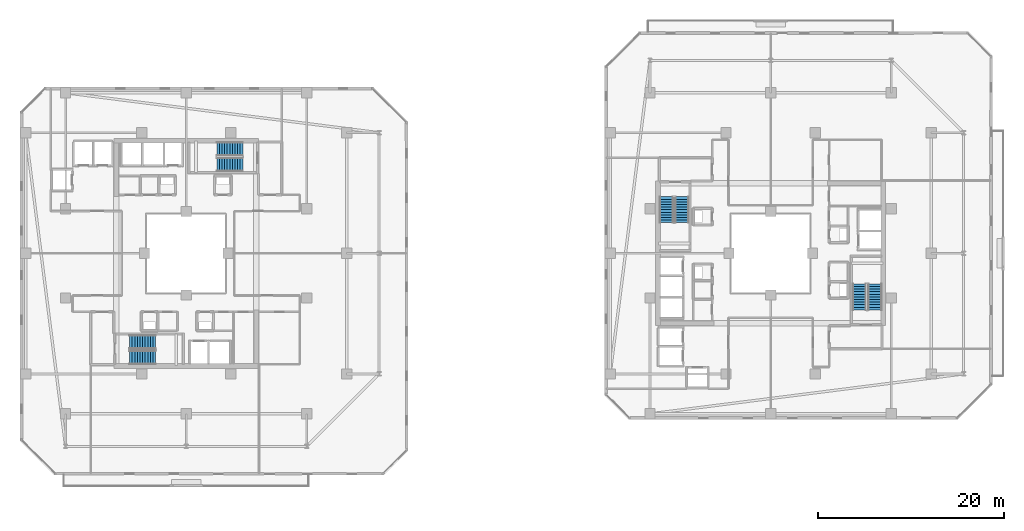
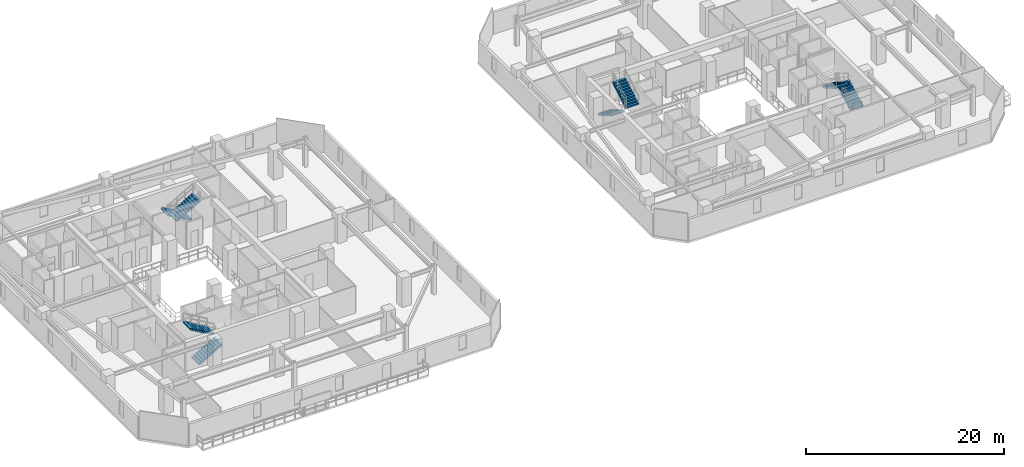
# One storey, part 26 of 32: 8 stair flights, 4 elements without a shape of their own.
"""IFC4 building model written with IfcOpenShell, lengths in metres."""

from ifc_helpers import new_model, si_unit, direction, frame, origin, place, context, subcontext, project, spatial, polyline, outline, extrude, material, type_object, element, aggregate, save


model = new_model("IFC4")

# Units and contexts
model_context = context("Model", 3, precision=1e-05, world=origin(), true_north=direction((0.0, 1.0)))
body_context = subcontext(model_context, "Body", "Model", "MODEL_VIEW")
ifc_project = project(units=[si_unit("LENGTHUNIT", "METRE"), si_unit("AREAUNIT", "SQUARE_METRE"), si_unit("VOLUMEUNIT", "CUBIC_METRE"), si_unit("PLANEANGLEUNIT", "RADIAN"), si_unit("MASSUNIT", "GRAM", prefix="KILO")], contexts=[model_context])

# Site, building, storey
site_placement = place(None, origin())
site = spatial("IfcSite", under=ifc_project, at=site_placement, CompositionType="ELEMENT")
building_placement = place(site_placement, origin())
building = spatial("IfcBuilding", under=site, at=building_placement, Name="Thornwick Lancets Civic Towers", CompositionType="ELEMENT")
storey_placement = place(building_placement, frame((0.0, 0.0, 156.300048828125)))
storey = spatial("IfcBuildingStorey", under=building, at=storey_placement, Name="L41", CompositionType="ELEMENT", Elevation=156.300048828125)

# Stair, stair flights
ifc_material = material(Name="Concrete C40/50", Category="concrete")
stair_type = type_object("IfcStairType", Name="STAIR_DL_3600", PredefinedType="HALF_TURN_STAIR", material=ifc_material)
stair_1_placement = place(storey_placement, origin())
stair_1 = element("IfcStair", 1, at=stair_1_placement, inside=storey, type_object=stair_type, Name="L41 Tower A South Exit Stair ST-A1", PredefinedType="HALF_TURN_STAIR")
stair_flight_type = type_object("IfcStairFlightType", Name="FLIGHT_3600", PredefinedType="STRAIGHT", material=ifc_material)
stair_flight_1_placement = place(storey_placement, frame((19.39990234375, 15.75, 0.0), z_axis=(0.0, 0.0, 1.0), x_axis=(1.0, 0.0, 0.0)))
stair_flight_1 = element("IfcStairFlight", 2, at=stair_flight_1_placement, type_object=stair_flight_type, Name="ST-A1 flight 1", NumberOfRisers=11, NumberOfTreads=10, PredefinedType="STRAIGHT", RiserHeight=0.163636364, TreadLength=0.28, context=body_context, shape_type="SweptSolid", body=[
    extrude(outline(polyline([(0.0, 0.0), (0.0, 0.16357421875), (0.280029296875, 0.16357421875), (0.280029296875, 0.327392578125), (0.56005859375, 0.327392578125), (0.56005859375, 0.490966796875), (0.840087890625, 0.490966796875), (0.840087890625, 0.654541015625), (1.1201171875, 0.654541015625), (1.1201171875, 0.818115234375), (1.39990234375, 0.818115234375), (1.39990234375, 0.98193359375), (1.679931640625, 0.98193359375), (1.679931640625, 1.1455078125), (1.9599609375, 1.1455078125), (1.9599609375, 1.30908203125), (2.239990234375, 1.30908203125), (2.239990234375, 1.47265625), (2.52001953125, 1.47265625), (2.52001953125, 1.636474609375), (2.800048828125, 1.636474609375), (2.800048828125, 1.800048828125), (2.800048828125, 1.462646484375), (0.297119140625, 0.0), (0.0, 0.0)])), frame((0.0, 0.75, 0.0), z_axis=(0.0, -1.0, 0.0), x_axis=(1.0, 0.0, 0.0)), (0.0, 0.0, 1.0), 1.5),
])
stair_flight_2_placement = place(storey_placement, frame((22.199951171875, 17.449951171875, 1.800048828125), z_axis=(0.0, 0.0, 1.0), x_axis=(-1.0, 0.0, 0.0)))
stair_flight_2 = element("IfcStairFlight", 3, at=stair_flight_2_placement, type_object=stair_flight_type, Name="ST-A1 flight 2", NumberOfRisers=11, NumberOfTreads=10, PredefinedType="STRAIGHT", RiserHeight=0.163636364, TreadLength=0.28, context=body_context, shape_type="SweptSolid", body=[
    extrude(outline(polyline([(0.0, 0.0), (0.0, 0.16357421875), (0.280029296875, 0.16357421875), (0.280029296875, 0.327392578125), (0.56005859375, 0.327392578125), (0.56005859375, 0.490966796875), (0.840087890625, 0.490966796875), (0.840087890625, 0.654541015625), (1.1201171875, 0.654541015625), (1.1201171875, 0.818115234375), (1.39990234375, 0.818115234375), (1.39990234375, 0.98193359375), (1.679931640625, 0.98193359375), (1.679931640625, 1.1455078125), (1.9599609375, 1.1455078125), (1.9599609375, 1.30908203125), (2.239990234375, 1.30908203125), (2.239990234375, 1.47265625), (2.52001953125, 1.47265625), (2.52001953125, 1.636474609375), (2.800048828125, 1.636474609375), (2.800048828125, 1.800048828125), (2.800048828125, 1.462646484375), (0.297119140625, 0.0), (0.0, 0.0)])), frame((0.0, 0.75, 0.0), z_axis=(0.0, -1.0, 0.0), x_axis=(1.0, 0.0, 0.0)), (0.0, 0.0, 1.0), 1.5),
])
aggregate(stair_1, [stair_flight_1, stair_flight_2])

stair_2_placement = place(storey_placement, origin())
stair_2 = element("IfcStair", 4, at=stair_2_placement, inside=storey, type_object=stair_type, Name="L41 Tower A North Exit Stair ST-A2", PredefinedType="HALF_TURN_STAIR")
stair_flight_3_placement = place(storey_placement, frame((31.60009765625, 38.25, 0.0), z_axis=(0.0, 0.0, 1.0), x_axis=(-1.0, 0.0, 0.0)))
stair_flight_3 = element("IfcStairFlight", 5, at=stair_flight_3_placement, type_object=stair_flight_type, Name="ST-A2 flight 1", NumberOfRisers=11, NumberOfTreads=10, PredefinedType="STRAIGHT", RiserHeight=0.163636364, TreadLength=0.28, context=body_context, shape_type="SweptSolid", body=[
    extrude(outline(polyline([(0.0, 0.0), (0.0, 0.16357421875), (0.280029296875, 0.16357421875), (0.280029296875, 0.327392578125), (0.56005859375, 0.327392578125), (0.56005859375, 0.490966796875), (0.840087890625, 0.490966796875), (0.840087890625, 0.654541015625), (1.1201171875, 0.654541015625), (1.1201171875, 0.818115234375), (1.39990234375, 0.818115234375), (1.39990234375, 0.98193359375), (1.679931640625, 0.98193359375), (1.679931640625, 1.1455078125), (1.9599609375, 1.1455078125), (1.9599609375, 1.30908203125), (2.239990234375, 1.30908203125), (2.239990234375, 1.47265625), (2.52001953125, 1.47265625), (2.52001953125, 1.636474609375), (2.800048828125, 1.636474609375), (2.800048828125, 1.800048828125), (2.800048828125, 1.462646484375), (0.297119140625, 0.0), (0.0, 0.0)])), frame((0.0, 0.75, 0.0), z_axis=(0.0, -1.0, 0.0), x_axis=(1.0, 0.0, 0.0)), (0.0, 0.0, 1.0), 1.5),
])
stair_flight_4_placement = place(storey_placement, frame((28.800048828125, 36.550048828125, 1.800048828125), z_axis=(0.0, 0.0, 1.0), x_axis=(1.0, 0.0, 0.0)))
stair_flight_4 = element("IfcStairFlight", 6, at=stair_flight_4_placement, type_object=stair_flight_type, Name="ST-A2 flight 2", NumberOfRisers=11, NumberOfTreads=10, PredefinedType="STRAIGHT", RiserHeight=0.163636364, TreadLength=0.28, context=body_context, shape_type="SweptSolid", body=[
    extrude(outline(polyline([(0.0, 0.0), (0.0, 0.16357421875), (0.280029296875, 0.16357421875), (0.280029296875, 0.327392578125), (0.56005859375, 0.327392578125), (0.56005859375, 0.490966796875), (0.840087890625, 0.490966796875), (0.840087890625, 0.654541015625), (1.1201171875, 0.654541015625), (1.1201171875, 0.818115234375), (1.39990234375, 0.818115234375), (1.39990234375, 0.98193359375), (1.679931640625, 0.98193359375), (1.679931640625, 1.1455078125), (1.9599609375, 1.1455078125), (1.9599609375, 1.30908203125), (2.239990234375, 1.30908203125), (2.239990234375, 1.47265625), (2.52001953125, 1.47265625), (2.52001953125, 1.636474609375), (2.800048828125, 1.636474609375), (2.800048828125, 1.800048828125), (2.800048828125, 1.462646484375), (0.297119140625, 0.0), (0.0, 0.0)])), frame((0.0, 0.75, 0.0), z_axis=(0.0, -1.0, 0.0), x_axis=(1.0, 0.0, 0.0)), (0.0, 0.0, 1.0), 1.5),
])
aggregate(stair_2, [stair_flight_3, stair_flight_4])

stair_3_placement = place(storey_placement, origin())
stair_3 = element("IfcStair", 7, at=stair_3_placement, inside=storey, type_object=stair_type, Name="L41 Tower B East Exit Stair ST-B1", PredefinedType="HALF_TURN_STAIR")
stair_flight_5_placement = place(storey_placement, frame((99.75, 20.89990234375, 0.0), z_axis=(0.0, 0.0, 1.0), x_axis=(0.0, 1.0, 0.0)))
stair_flight_5 = element("IfcStairFlight", 8, at=stair_flight_5_placement, type_object=stair_flight_type, Name="ST-B1 flight 1", NumberOfRisers=11, NumberOfTreads=10, PredefinedType="STRAIGHT", RiserHeight=0.163636364, TreadLength=0.28, context=body_context, shape_type="SweptSolid", body=[
    extrude(outline(polyline([(0.0, 0.0), (0.0, 0.16357421875), (0.280029296875, 0.16357421875), (0.280029296875, 0.327392578125), (0.56005859375, 0.327392578125), (0.56005859375, 0.490966796875), (0.840087890625, 0.490966796875), (0.840087890625, 0.654541015625), (1.1201171875, 0.654541015625), (1.1201171875, 0.818115234375), (1.39990234375, 0.818115234375), (1.39990234375, 0.98193359375), (1.679931640625, 0.98193359375), (1.679931640625, 1.1455078125), (1.9599609375, 1.1455078125), (1.9599609375, 1.30908203125), (2.239990234375, 1.30908203125), (2.239990234375, 1.47265625), (2.52001953125, 1.47265625), (2.52001953125, 1.636474609375), (2.800048828125, 1.636474609375), (2.800048828125, 1.800048828125), (2.800048828125, 1.462646484375), (0.297119140625, 0.0), (0.0, 0.0)])), frame((0.0, 0.75, 0.0), z_axis=(0.0, -1.0, 0.0), x_axis=(1.0, 0.0, 0.0)), (0.0, 0.0, 1.0), 1.5),
])
stair_flight_6_placement = place(storey_placement, frame((98.050048828125, 23.699951171875, 1.800048828125), z_axis=(0.0, 0.0, 1.0), x_axis=(0.0, -1.0, 0.0)))
stair_flight_6 = element("IfcStairFlight", 9, at=stair_flight_6_placement, type_object=stair_flight_type, Name="ST-B1 flight 2", NumberOfRisers=11, NumberOfTreads=10, PredefinedType="STRAIGHT", RiserHeight=0.163636364, TreadLength=0.28, context=body_context, shape_type="SweptSolid", body=[
    extrude(outline(polyline([(0.0, 0.0), (0.0, 0.16357421875), (0.280029296875, 0.16357421875), (0.280029296875, 0.327392578125), (0.56005859375, 0.327392578125), (0.56005859375, 0.490966796875), (0.840087890625, 0.490966796875), (0.840087890625, 0.654541015625), (1.1201171875, 0.654541015625), (1.1201171875, 0.818115234375), (1.39990234375, 0.818115234375), (1.39990234375, 0.98193359375), (1.679931640625, 0.98193359375), (1.679931640625, 1.1455078125), (1.9599609375, 1.1455078125), (1.9599609375, 1.30908203125), (2.239990234375, 1.30908203125), (2.239990234375, 1.47265625), (2.52001953125, 1.47265625), (2.52001953125, 1.636474609375), (2.800048828125, 1.636474609375), (2.800048828125, 1.800048828125), (2.800048828125, 1.462646484375), (0.297119140625, 0.0), (0.0, 0.0)])), frame((0.0, 0.75, 0.0), z_axis=(0.0, -1.0, 0.0), x_axis=(1.0, 0.0, 0.0)), (0.0, 0.0, 1.0), 1.5),
])
aggregate(stair_3, [stair_flight_5, stair_flight_6])

stair_4_placement = place(storey_placement, origin())
stair_4 = element("IfcStair", 10, at=stair_4_placement, inside=storey, type_object=stair_type, Name="L41 Tower B West Exit Stair ST-B2", PredefinedType="HALF_TURN_STAIR")
stair_flight_7_placement = place(storey_placement, frame((77.25, 33.10009765625, 0.0), z_axis=(0.0, 0.0, 1.0), x_axis=(0.0, -1.0, 0.0)))
stair_flight_7 = element("IfcStairFlight", 11, at=stair_flight_7_placement, type_object=stair_flight_type, Name="ST-B2 flight 1", NumberOfRisers=11, NumberOfTreads=10, PredefinedType="STRAIGHT", RiserHeight=0.163636364, TreadLength=0.28, context=body_context, shape_type="SweptSolid", body=[
    extrude(outline(polyline([(0.0, 0.0), (0.0, 0.16357421875), (0.280029296875, 0.16357421875), (0.280029296875, 0.327392578125), (0.56005859375, 0.327392578125), (0.56005859375, 0.490966796875), (0.840087890625, 0.490966796875), (0.840087890625, 0.654541015625), (1.1201171875, 0.654541015625), (1.1201171875, 0.818115234375), (1.39990234375, 0.818115234375), (1.39990234375, 0.98193359375), (1.679931640625, 0.98193359375), (1.679931640625, 1.1455078125), (1.9599609375, 1.1455078125), (1.9599609375, 1.30908203125), (2.239990234375, 1.30908203125), (2.239990234375, 1.47265625), (2.52001953125, 1.47265625), (2.52001953125, 1.636474609375), (2.800048828125, 1.636474609375), (2.800048828125, 1.800048828125), (2.800048828125, 1.462646484375), (0.297119140625, 0.0), (0.0, 0.0)])), frame((0.0, 0.75, 0.0), z_axis=(0.0, -1.0, 0.0), x_axis=(1.0, 0.0, 0.0)), (0.0, 0.0, 1.0), 1.5),
])
stair_flight_8_placement = place(storey_placement, frame((78.949951171875, 30.300048828125, 1.800048828125), z_axis=(0.0, 0.0, 1.0), x_axis=(0.0, 1.0, 0.0)))
stair_flight_8 = element("IfcStairFlight", 12, at=stair_flight_8_placement, type_object=stair_flight_type, Name="ST-B2 flight 2", NumberOfRisers=11, NumberOfTreads=10, PredefinedType="STRAIGHT", RiserHeight=0.163636364, TreadLength=0.28, context=body_context, shape_type="SweptSolid", body=[
    extrude(outline(polyline([(0.0, 0.0), (0.0, 0.16357421875), (0.280029296875, 0.16357421875), (0.280029296875, 0.327392578125), (0.56005859375, 0.327392578125), (0.56005859375, 0.490966796875), (0.840087890625, 0.490966796875), (0.840087890625, 0.654541015625), (1.1201171875, 0.654541015625), (1.1201171875, 0.818115234375), (1.39990234375, 0.818115234375), (1.39990234375, 0.98193359375), (1.679931640625, 0.98193359375), (1.679931640625, 1.1455078125), (1.9599609375, 1.1455078125), (1.9599609375, 1.30908203125), (2.239990234375, 1.30908203125), (2.239990234375, 1.47265625), (2.52001953125, 1.47265625), (2.52001953125, 1.636474609375), (2.800048828125, 1.636474609375), (2.800048828125, 1.800048828125), (2.800048828125, 1.462646484375), (0.297119140625, 0.0), (0.0, 0.0)])), frame((0.0, 0.75, 0.0), z_axis=(0.0, -1.0, 0.0), x_axis=(1.0, 0.0, 0.0)), (0.0, 0.0, 1.0), 1.5),
])
aggregate(stair_4, [stair_flight_7, stair_flight_8])

save(model, "model.ifc")
